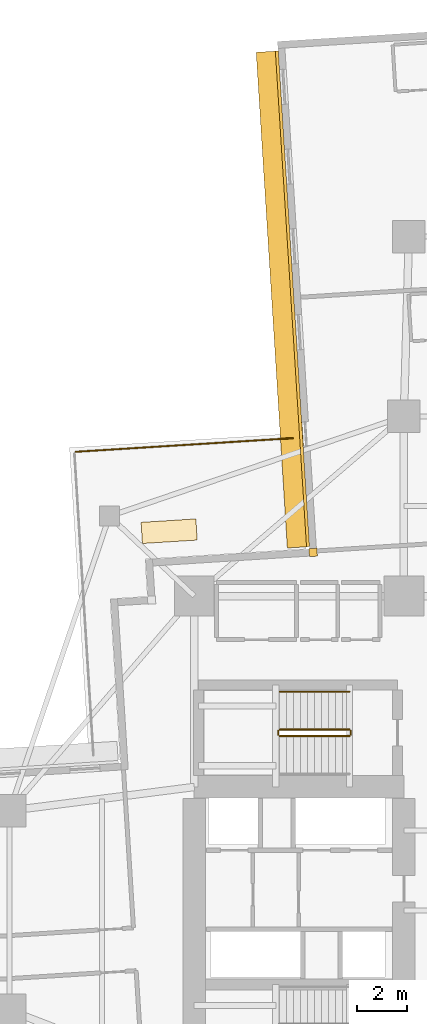
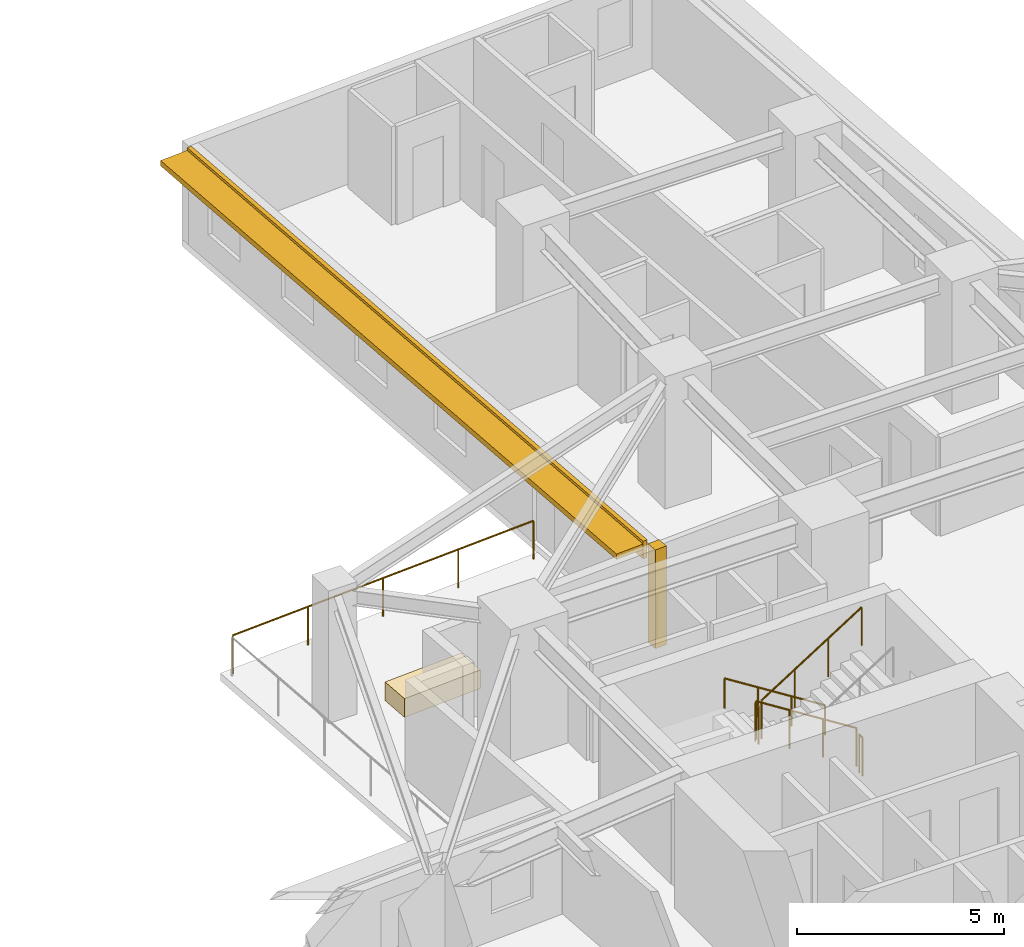
# One storey, part 13 of 14: 6 railings, 3 coverings, 1 shading device.
"""IFC4 building model written with IfcOpenShell, lengths in metres."""

from ifc_helpers import new_model, si_unit, direction, frame, origin, origin_2d, place, context, subcontext, project, spatial, rectangle, circle, extrude, material, layer, layer_set, type_object, element, save


model = new_model("IFC4")

# Units and contexts
model_context = context("Model", 3, precision=1e-05, world=origin(), true_north=direction((0.0, 1.0)))
body_context = subcontext(model_context, "Body", "Model", "MODEL_VIEW")
ifc_project = project(units=[si_unit("LENGTHUNIT", "METRE"), si_unit("AREAUNIT", "SQUARE_METRE"), si_unit("VOLUMEUNIT", "CUBIC_METRE"), si_unit("PLANEANGLEUNIT", "RADIAN"), si_unit("MASSUNIT", "GRAM", prefix="KILO")], contexts=[model_context])

# Site, building, storey
site_placement = place(None, origin())
site = spatial("IfcSite", under=ifc_project, at=site_placement, CompositionType="ELEMENT")
building_placement = place(site_placement, origin())
building = spatial("IfcBuilding", under=site, at=building_placement, Name="Qingluan Cross Belvedere", CompositionType="ELEMENT")
storey_placement = place(building_placement, frame((0.0, 0.0, 39.300048828125)))
storey = spatial("IfcBuildingStorey", under=building, at=storey_placement, Name="L10", CompositionType="ELEMENT", Elevation=39.300048828125)

# Coverings
ifc_material_1 = material(Name="Precast concrete C45", Category="concrete")
ifc_layer_1 = layer(ifc_material_1, 0.1201171875, Name="ConcreteSpandrelCladding_120")
ifc_layer_set_1 = layer_set([ifc_layer_1], Name="Precast concrete C45")
covering_type_1 = type_object("IfcCoveringType", Name="ConcreteSpandrelCladding_120", PredefinedType="CLADDING", material=ifc_layer_set_1)
covering_1_placement = place(storey_placement, frame((-8.465576171875, 24.5068359375, 2.449951171875), z_axis=(0.0, 0.0, 1.0), x_axis=(0.062791158819, -0.998026688207, 0.0)))
element("IfcCovering", 1, at=covering_1_placement, inside=storey, type_object=covering_type_1, Name="Spandrel cladding L10-NB", PredefinedType="CLADDING", context=body_context, shape_type="SweptSolid", body=[
    extrude(rectangle(XDim=19.89990234375, YDim=0.1201171875, at=origin_2d()), origin(), (0.0, 0.0, 1.0), 0.52001953125),
])
covering_2_placement = place(storey_placement, frame((-7.635986328125, 14.348876953125, 0.0), z_axis=(0.0, 0.0, 1.0), x_axis=(0.998026728428, 0.062790519529, 0.0)))
element("IfcCovering", 2, at=covering_2_placement, inside=storey, type_object=covering_type_1, Name="Corner closure L10-NW2", PredefinedType="CLADDING", context=body_context, shape_type="SweptSolid", body=[
    extrude(rectangle(XDim=0.320068359375, YDim=0.320068359375, at=origin_2d()), origin(), (0.0, 0.0, 1.0), 2.909912109375),
])

# Shading device
ifc_material_2 = material(Name="Precast concrete C45", Category="concrete")
ifc_layer_2 = layer(ifc_material_2, 0.159912109375, Name="ConcreteSunshadeBand_900")
ifc_layer_set_2 = layer_set([ifc_layer_2], Name="Precast concrete C45")
shading_device_type = type_object("IfcShadingDeviceType", Name="ConcreteSunshadeBand_900", PredefinedType="USERDEFINED", material=ifc_layer_set_2)
shading_device_placement = place(storey_placement, frame((-8.8447265625, 24.48291015625, 2.72998046875), z_axis=(0.0, 0.0, 1.0), x_axis=(0.062791158819, -0.998026688207, 0.0)))
element("IfcShadingDevice", 3, at=shading_device_placement, inside=storey, type_object=shading_device_type, Name="Concrete SUNSHADE L10-NB", ObjectType="SUNSHADE", PredefinedType="USERDEFINED", context=body_context, shape_type="SweptSolid", body=[
    extrude(rectangle(XDim=19.89990234375, YDim=0.89990234375, at=origin_2d()), origin(), (0.0, 0.0, 1.0), 0.159912109375),
])

# Railings
ifc_material_3 = material(Name="Brushed stainless steel tubular handrail", Category="steel")
railing_type_1 = type_object("IfcRailingType", Name="StairPitchHandrail_900", PredefinedType="HANDRAIL", material=ifc_material_3)
railing_1_placement = place(storey_placement, frame((-6.179931640625, 8.77001953125, 0.17724609375)))
element("IfcRailing", 4, at=railing_1_placement, inside=storey, type_object=railing_type_1, Name="L10 ST3 stair handrail 1", PredefinedType="HANDRAIL", context=body_context, shape_type="SweptSolid", body=[
    extrude(circle(Radius=0.02392578125, at=origin_2d()), frame((0.0, 0.0, 0.8759765625), z_axis=(-0.844908973607, 0.0, 0.534910110503), x_axis=(0.0, -1.0, 0.0)), (0.0, 0.0, 1.0), 3.31396484375),
    extrude(circle(Radius=0.02099609375, at=origin_2d()), origin(), (0.0, 0.0, 1.0), 0.851806640625),
    extrude(circle(Radius=0.02099609375, at=origin_2d()), frame((-0.933349609375, 0.0, 0.5908203125)), (0.0, 0.0, 1.0), 0.851806640625),
    extrude(circle(Radius=0.02099609375, at=origin_2d()), frame((-1.86669921875, 0.0, 1.181884765625)), (0.0, 0.0, 1.0), 0.851806640625),
    extrude(circle(Radius=0.02099609375, at=origin_2d()), frame((-2.800048828125, 0.0, 1.772705078125)), (0.0, 0.0, 1.0), 0.851806640625),
])
ifc_material_4 = material(Name="Painted steel stair well guard", Category="steel")
railing_type_2 = type_object("IfcRailingType", Name="StairWellGuard_1150", PredefinedType="BALUSTRADE", material=ifc_material_4)
railing_2_placement = place(storey_placement, frame((-6.179931640625, 7.25, 0.17724609375)))
element("IfcRailing", 5, at=railing_2_placement, inside=storey, type_object=railing_type_2, Name="L10 ST3 stair guard 1", PredefinedType="BALUSTRADE", context=body_context, shape_type="SweptSolid", body=[
    extrude(circle(Radius=0.02392578125, at=origin_2d()), frame((0.0, 0.0, 1.1259765625), z_axis=(-0.844908973607, 0.0, 0.534910110503), x_axis=(0.0, -1.0, 0.0)), (0.0, 0.0, 1.0), 3.31396484375),
    extrude(circle(Radius=0.02099609375, at=origin_2d()), origin(), (0.0, 0.0, 1.0), 1.101806640625),
    extrude(circle(Radius=0.02099609375, at=origin_2d()), frame((-0.933349609375, 0.0, 0.5908203125)), (0.0, 0.0, 1.0), 1.101806640625),
    extrude(circle(Radius=0.02099609375, at=origin_2d()), frame((-1.86669921875, 0.0, 1.181884765625)), (0.0, 0.0, 1.0), 1.101806640625),
    extrude(circle(Radius=0.02099609375, at=origin_2d()), frame((-2.800048828125, 0.0, 1.772705078125)), (0.0, 0.0, 1.0), 1.101806640625),
])
railing_3_placement = place(storey_placement, frame((-9.030029296875, 7.199951171875, 1.949951171875)))
element("IfcRailing", 6, at=railing_3_placement, inside=storey, type_object=railing_type_2, Name="L10 ST3 stair guard 2", PredefinedType="BALUSTRADE", context=body_context, shape_type="SweptSolid", body=[
    extrude(circle(Radius=0.02392578125, at=origin_2d()), frame((0.0, 0.0, 1.1259765625), z_axis=(0.0, -1.0, 0.0), x_axis=(1.0, 0.0, 0.0)), (0.0, 0.0, 1.0), 0.159912109375),
    extrude(circle(Radius=0.02099609375, at=origin_2d()), origin(), (0.0, 0.0, 1.0), 1.101806640625),
    extrude(circle(Radius=0.02099609375, at=origin_2d()), frame((0.0, -0.159912109375, 0.0)), (0.0, 0.0, 1.0), 1.101806640625),
])
railing_4_placement = place(storey_placement, frame((-8.97998046875, 6.989990234375, 2.127197265625)))
element("IfcRailing", 7, at=railing_4_placement, inside=storey, type_object=railing_type_2, Name="L10 ST3 stair guard 3", PredefinedType="BALUSTRADE", context=body_context, shape_type="SweptSolid", body=[
    extrude(circle(Radius=0.02392578125, at=origin_2d()), frame((0.0, 0.0, 1.1259765625), z_axis=(0.844908973607, 0.0, 0.534910110503), x_axis=(0.0, 1.0, 0.0)), (0.0, 0.0, 1.0), 3.31396484375),
    extrude(circle(Radius=0.02099609375, at=origin_2d()), origin(), (0.0, 0.0, 1.0), 1.101806640625),
    extrude(circle(Radius=0.02099609375, at=origin_2d()), frame((0.933349609375, 0.0, 0.5908203125)), (0.0, 0.0, 1.0), 1.101806640625),
    extrude(circle(Radius=0.02099609375, at=origin_2d()), frame((1.86669921875, 0.0, 1.181884765625)), (0.0, 0.0, 1.0), 1.101806640625),
    extrude(circle(Radius=0.02099609375, at=origin_2d()), frame((2.800048828125, 0.0, 1.772705078125)), (0.0, 0.0, 1.0), 1.101806640625),
])
railing_5_placement = place(storey_placement, frame((-6.1298828125, 7.199951171875, 0.0)))
element("IfcRailing", 8, at=railing_5_placement, inside=storey, type_object=railing_type_2, Name="L10 ST3 stair guard 4", PredefinedType="BALUSTRADE", context=body_context, shape_type="SweptSolid", body=[
    extrude(circle(Radius=0.02392578125, at=origin_2d()), frame((0.0, 0.0, 1.1259765625), z_axis=(0.0, -1.0, 0.0), x_axis=(1.0, 0.0, 0.0)), (0.0, 0.0, 1.0), 0.159912109375),
    extrude(circle(Radius=0.02099609375, at=origin_2d()), origin(), (0.0, 0.0, 1.0), 1.101806640625),
    extrude(circle(Radius=0.02099609375, at=origin_2d()), frame((0.0, -0.159912109375, 0.0)), (0.0, 0.0, 1.0), 1.101806640625),
])
ifc_material_5 = material(Name="Laminated glass and stainless steel balustrade", Category="steel")
railing_type_3 = type_object("IfcRailingType", Name="TerraceGuardBalustrade_1150", PredefinedType="BALUSTRADE", material=ifc_material_5)
railing_6_placement = place(storey_placement, frame((-17.14794921875, 18.37939453125, 0.0)))
element("IfcRailing", 9, at=railing_6_placement, inside=storey, type_object=railing_type_3, Name="Terrace guard L10-2", PredefinedType="BALUSTRADE", context=body_context, shape_type="SweptSolid", body=[
    extrude(circle(Radius=0.02392578125, at=origin_2d()), frame((0.0, 0.0, 1.1259765625), z_axis=(0.998026235633, 0.062798351797, 0.0), x_axis=(-0.062798351797, 0.998026235633, 0.0)), (0.0, 0.0, 1.0), 8.719970703125),
    extrude(circle(Radius=0.02099609375, at=origin_2d()), origin(), (0.0, 0.0, 1.0), 1.101806640625),
    extrude(circle(Radius=0.02099609375, at=origin_2d()), frame((2.17578125, 0.136962890625, 0.0)), (0.0, 0.0, 1.0), 1.101806640625),
    extrude(circle(Radius=0.02099609375, at=origin_2d()), frame((4.3515625, 0.27392578125, 0.0)), (0.0, 0.0, 1.0), 1.101806640625),
    extrude(circle(Radius=0.02099609375, at=origin_2d()), frame((6.527099609375, 0.41064453125, 0.0)), (0.0, 0.0, 1.0), 1.101806640625),
    extrude(circle(Radius=0.02099609375, at=origin_2d()), frame((8.702880859375, 0.547607421875, 0.0)), (0.0, 0.0, 1.0), 1.101806640625),
])

# Covering
ifc_material_6 = material(Name="Precast concrete C40", Category="concrete")
ifc_layer_3 = layer(ifc_material_6, 0.550048828125, Name="TerracePlanterBox")
ifc_layer_set_3 = layer_set([ifc_layer_3], Name="Precast concrete C40")
covering_type_2 = type_object("IfcCoveringType", Name="TerracePlanterBox", PredefinedType="USERDEFINED", material=ifc_layer_set_3)
covering_3_placement = place(storey_placement, frame((-13.406005859375, 15.197998046875, 0.0), z_axis=(0.0, 0.0, 1.0), x_axis=(0.998026728428, 0.062790519529, 0.0)))
element("IfcCovering", 10, at=covering_3_placement, inside=storey, type_object=covering_type_2, Name="Spiralling winter-garden planter L10", ObjectType="PLANTER", PredefinedType="USERDEFINED", context=body_context, shape_type="SweptSolid", body=[
    extrude(rectangle(XDim=2.199951171875, YDim=0.85009765625, at=origin_2d()), origin(), (0.0, 0.0, 1.0), 0.550048828125),
])

save(model, "model.ifc")
